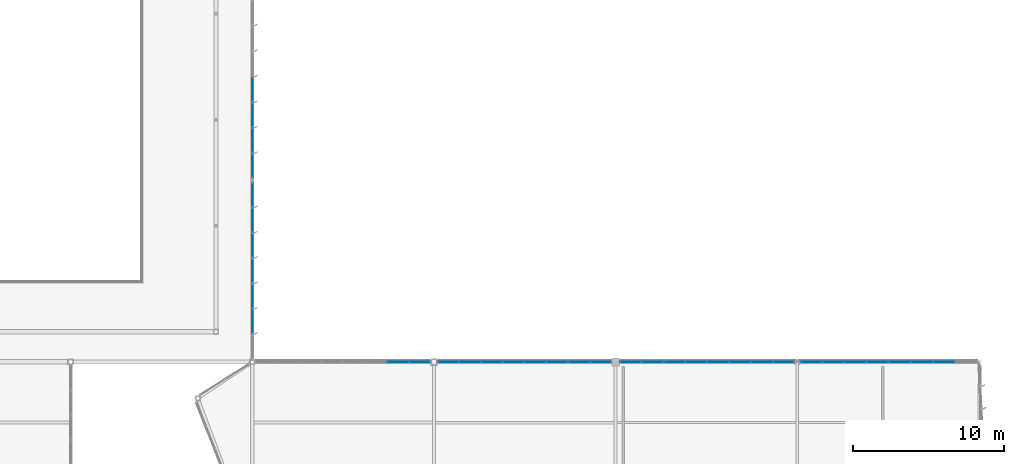
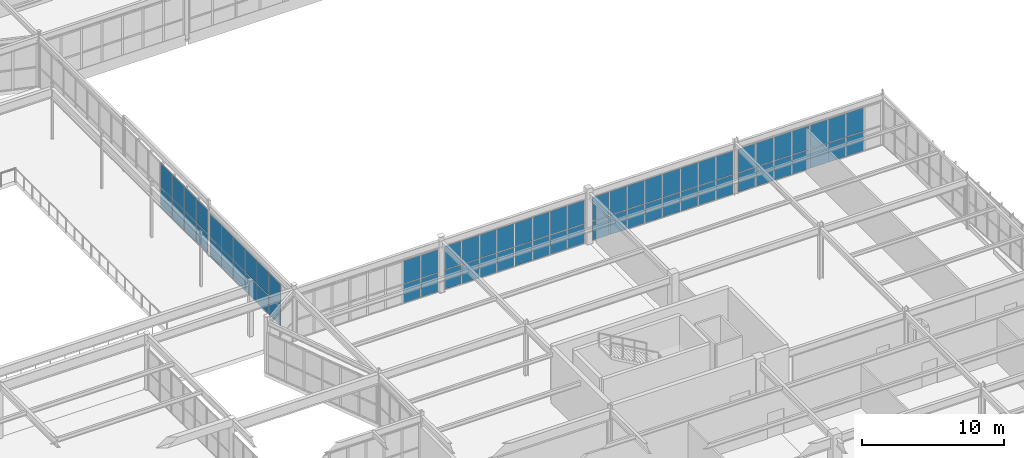
# One storey, part 122 of 186: 70 plates, 6 elements without a shape of their own.
"""IFC4 building model written with IfcOpenShell, lengths in metres."""

from ifc_helpers import new_model, si_unit, direction, frame, origin, origin_2d, place, context, subcontext, project, spatial, rectangle, extrude, material, layer, layer_set, type_object, element, aggregate, save


model = new_model("IFC4")

# Units and contexts
model_context = context("Model", 3, precision=1e-05, world=origin(), true_north=direction((0.0, 1.0)))
body_context = subcontext(model_context, "Body", "Model", "MODEL_VIEW")
ifc_project = project(units=[si_unit("LENGTHUNIT", "METRE"), si_unit("AREAUNIT", "SQUARE_METRE"), si_unit("VOLUMEUNIT", "CUBIC_METRE"), si_unit("PLANEANGLEUNIT", "RADIAN"), si_unit("MASSUNIT", "GRAM", prefix="KILO")], contexts=[model_context])

# Site, building, storey
site_placement = place(None, origin())
site = spatial("IfcSite", under=ifc_project, at=site_placement, CompositionType="ELEMENT")
building_placement = place(site_placement, origin())
building = spatial("IfcBuilding", under=site, at=building_placement, Name="Tarnwether General Hospital", CompositionType="ELEMENT")
storey_placement = place(building_placement, frame((0.0, 0.0, 9.60009765625)))
storey = spatial("IfcBuildingStorey", under=building, at=storey_placement, Name="L02", CompositionType="ELEMENT", Elevation=9.60009765625)

# Curtain wall, plates
ifc_material_1 = material(Name="Anodised aluminium", Category="aluminium")
ifc_layer_1 = layer(ifc_material_1, 0.179931640625)
ifc_layer_set_1 = layer_set([ifc_layer_1], Name="Anodised aluminium")
curtain_wall_type_1 = type_object("IfcCurtainWallType", Name="CW-06", PredefinedType="NOTDEFINED", material=ifc_layer_set_1)
curtain_wall_1_placement = place(storey_placement, origin())
curtain_wall_1 = element("IfcCurtainWall", 1, at=curtain_wall_1_placement, inside=storey, type_object=curtain_wall_type_1, Name="Curtain Wall CWG-L02-1440_695-0417", PredefinedType="NOTDEFINED")
ifc_material_2 = material(Name="Double glazed low-E glass", Category="glass")
ifc_layer_2 = layer(ifc_material_2, 0.028076171875)
ifc_layer_set_2 = layer_set([ifc_layer_2], Name="Double glazed low-E glass")
plate_type = type_object("IfcPlateType", Name="PT-CWP1", PredefinedType="CURTAIN_PANEL", material=ifc_layer_set_2)
plate_1_placement = place(storey_placement, frame((144.0, 63.610595703125, 0.06005859375), z_axis=(0.0, 0.0, 1.0), x_axis=(0.0, -1.0, 0.0)))
plate_1 = element("IfcPlate", 2, at=plate_1_placement, type_object=plate_type, Name="CW-06 panel 4.1", PredefinedType="CURTAIN_PANEL", context=body_context, shape_type="SweptSolid", body=[
    extrude(rectangle(XDim=1.6259765625, YDim=0.028076171875, at=origin_2d()), origin(), (0.0, 0.0, 1.0), 1.663818359375),
])
plate_2_placement = place(storey_placement, frame((144.0, 63.610595703125, 1.78369140625), z_axis=(0.0, 0.0, 1.0), x_axis=(0.0, -1.0, 0.0)))
plate_2 = element("IfcPlate", 3, at=plate_2_placement, type_object=plate_type, Name="CW-06 panel 4.2", PredefinedType="CURTAIN_PANEL", context=body_context, shape_type="SweptSolid", body=[
    extrude(rectangle(XDim=1.6259765625, YDim=0.028076171875, at=origin_2d()), origin(), (0.0, 0.0, 1.0), 2.05322265625),
])
plate_3_placement = place(storey_placement, frame((144.0, 61.924560546875, 0.06005859375), z_axis=(0.0, 0.0, 1.0), x_axis=(0.0, -1.0, 0.0)))
plate_3 = element("IfcPlate", 4, at=plate_3_placement, type_object=plate_type, Name="CW-06 panel 5.1", PredefinedType="CURTAIN_PANEL", context=body_context, shape_type="SweptSolid", body=[
    extrude(rectangle(XDim=1.6259765625, YDim=0.028076171875, at=origin_2d()), origin(), (0.0, 0.0, 1.0), 1.663818359375),
])
plate_4_placement = place(storey_placement, frame((144.0, 61.924560546875, 1.78369140625), z_axis=(0.0, 0.0, 1.0), x_axis=(0.0, -1.0, 0.0)))
plate_4 = element("IfcPlate", 5, at=plate_4_placement, type_object=plate_type, Name="CW-06 panel 5.2", PredefinedType="CURTAIN_PANEL", context=body_context, shape_type="SweptSolid", body=[
    extrude(rectangle(XDim=1.6259765625, YDim=0.028076171875, at=origin_2d()), origin(), (0.0, 0.0, 1.0), 2.05322265625),
])
plate_5_placement = place(storey_placement, frame((144.0, 60.23876953125, 0.06005859375), z_axis=(0.0, 0.0, 1.0), x_axis=(0.0, -1.0, 0.0)))
plate_5 = element("IfcPlate", 6, at=plate_5_placement, type_object=plate_type, Name="CW-06 panel 6.1", PredefinedType="CURTAIN_PANEL", context=body_context, shape_type="SweptSolid", body=[
    extrude(rectangle(XDim=1.6259765625, YDim=0.028076171875, at=origin_2d()), origin(), (0.0, 0.0, 1.0), 1.663818359375),
])
plate_6_placement = place(storey_placement, frame((144.0, 60.23876953125, 1.78369140625), z_axis=(0.0, 0.0, 1.0), x_axis=(0.0, -1.0, 0.0)))
plate_6 = element("IfcPlate", 7, at=plate_6_placement, type_object=plate_type, Name="CW-06 panel 6.2", PredefinedType="CURTAIN_PANEL", context=body_context, shape_type="SweptSolid", body=[
    extrude(rectangle(XDim=1.6259765625, YDim=0.028076171875, at=origin_2d()), origin(), (0.0, 0.0, 1.0), 2.05322265625),
])
plate_7_placement = place(storey_placement, frame((144.0, 58.56787109375, 0.06005859375), z_axis=(0.0, 0.0, 1.0), x_axis=(0.0, -1.0, 0.0)))
plate_7 = element("IfcPlate", 8, at=plate_7_placement, type_object=plate_type, Name="CW-06 panel 7.1", PredefinedType="CURTAIN_PANEL", context=body_context, shape_type="SweptSolid", body=[
    extrude(rectangle(XDim=1.595947265625, YDim=0.028076171875, at=origin_2d()), origin(), (0.0, 0.0, 1.0), 1.663818359375),
])
plate_8_placement = place(storey_placement, frame((144.0, 58.56787109375, 1.78369140625), z_axis=(0.0, 0.0, 1.0), x_axis=(0.0, -1.0, 0.0)))
plate_8 = element("IfcPlate", 9, at=plate_8_placement, type_object=plate_type, Name="CW-06 panel 7.2", PredefinedType="CURTAIN_PANEL", context=body_context, shape_type="SweptSolid", body=[
    extrude(rectangle(XDim=1.595947265625, YDim=0.028076171875, at=origin_2d()), origin(), (0.0, 0.0, 1.0), 2.05322265625),
])
aggregate(curtain_wall_1, [plate_1, plate_2, plate_3, plate_4, plate_5, plate_6, plate_7, plate_8])

curtain_wall_2_placement = place(storey_placement, origin())
curtain_wall_2 = element("IfcCurtainWall", 10, at=curtain_wall_2_placement, inside=storey, type_object=curtain_wall_type_1, Name="Curtain Wall CWG-L02-1440_575-0418", PredefinedType="NOTDEFINED")
plate_9_placement = place(storey_placement, frame((144.0, 56.637939453125, 0.06005859375), z_axis=(0.0, 0.0, 1.0), x_axis=(0.0, -1.0, 0.0)))
plate_9 = element("IfcPlate", 11, at=plate_9_placement, type_object=plate_type, Name="CW-06 panel 1.1", PredefinedType="CURTAIN_PANEL", context=body_context, shape_type="SweptSolid", body=[
    extrude(rectangle(XDim=1.584228515625, YDim=0.028076171875, at=origin_2d()), origin(), (0.0, 0.0, 1.0), 1.592041015625),
])
plate_10_placement = place(storey_placement, frame((144.0, 56.637939453125, 1.712158203125), z_axis=(0.0, 0.0, 1.0), x_axis=(0.0, -1.0, 0.0)))
plate_10 = element("IfcPlate", 12, at=plate_10_placement, type_object=plate_type, Name="CW-06 panel 1.2", PredefinedType="CURTAIN_PANEL", context=body_context, shape_type="SweptSolid", body=[
    extrude(rectangle(XDim=1.584228515625, YDim=0.028076171875, at=origin_2d()), origin(), (0.0, 0.0, 1.0), 1.9658203125),
])
plate_11_placement = place(storey_placement, frame((144.0, 54.978515625, 0.06005859375), z_axis=(0.0, 0.0, 1.0), x_axis=(0.0, -1.0, 0.0)))
plate_11 = element("IfcPlate", 13, at=plate_11_placement, type_object=plate_type, Name="CW-06 panel 2.1", PredefinedType="CURTAIN_PANEL", context=body_context, shape_type="SweptSolid", body=[
    extrude(rectangle(XDim=1.6142578125, YDim=0.028076171875, at=origin_2d()), origin(), (0.0, 0.0, 1.0), 1.592041015625),
])
plate_12_placement = place(storey_placement, frame((144.0, 54.978515625, 1.712158203125), z_axis=(0.0, 0.0, 1.0), x_axis=(0.0, -1.0, 0.0)))
plate_12 = element("IfcPlate", 14, at=plate_12_placement, type_object=plate_type, Name="CW-06 panel 2.2", PredefinedType="CURTAIN_PANEL", context=body_context, shape_type="SweptSolid", body=[
    extrude(rectangle(XDim=1.6142578125, YDim=0.028076171875, at=origin_2d()), origin(), (0.0, 0.0, 1.0), 1.9658203125),
])
plate_13_placement = place(storey_placement, frame((144.0, 53.30419921875, 0.06005859375), z_axis=(0.0, 0.0, 1.0), x_axis=(0.0, -1.0, 0.0)))
plate_13 = element("IfcPlate", 15, at=plate_13_placement, type_object=plate_type, Name="CW-06 panel 3.1", PredefinedType="CURTAIN_PANEL", context=body_context, shape_type="SweptSolid", body=[
    extrude(rectangle(XDim=1.6142578125, YDim=0.028076171875, at=origin_2d()), origin(), (0.0, 0.0, 1.0), 1.592041015625),
])
plate_14_placement = place(storey_placement, frame((144.0, 53.30419921875, 1.712158203125), z_axis=(0.0, 0.0, 1.0), x_axis=(0.0, -1.0, 0.0)))
plate_14 = element("IfcPlate", 16, at=plate_14_placement, type_object=plate_type, Name="CW-06 panel 3.2", PredefinedType="CURTAIN_PANEL", context=body_context, shape_type="SweptSolid", body=[
    extrude(rectangle(XDim=1.6142578125, YDim=0.028076171875, at=origin_2d()), origin(), (0.0, 0.0, 1.0), 1.9658203125),
])
plate_15_placement = place(storey_placement, frame((144.0, 51.6298828125, 0.06005859375), z_axis=(0.0, 0.0, 1.0), x_axis=(0.0, -1.0, 0.0)))
plate_15 = element("IfcPlate", 17, at=plate_15_placement, type_object=plate_type, Name="CW-06 panel 4.1", PredefinedType="CURTAIN_PANEL", context=body_context, shape_type="SweptSolid", body=[
    extrude(rectangle(XDim=1.6142578125, YDim=0.028076171875, at=origin_2d()), origin(), (0.0, 0.0, 1.0), 1.592041015625),
])
plate_16_placement = place(storey_placement, frame((144.0, 51.6298828125, 1.712158203125), z_axis=(0.0, 0.0, 1.0), x_axis=(0.0, -1.0, 0.0)))
plate_16 = element("IfcPlate", 18, at=plate_16_placement, type_object=plate_type, Name="CW-06 panel 4.2", PredefinedType="CURTAIN_PANEL", context=body_context, shape_type="SweptSolid", body=[
    extrude(rectangle(XDim=1.6142578125, YDim=0.028076171875, at=origin_2d()), origin(), (0.0, 0.0, 1.0), 1.9658203125),
])
plate_17_placement = place(storey_placement, frame((144.0, 49.955810546875, 0.06005859375), z_axis=(0.0, 0.0, 1.0), x_axis=(0.0, -1.0, 0.0)))
plate_17 = element("IfcPlate", 19, at=plate_17_placement, type_object=plate_type, Name="CW-06 panel 5.1", PredefinedType="CURTAIN_PANEL", context=body_context, shape_type="SweptSolid", body=[
    extrude(rectangle(XDim=1.6142578125, YDim=0.028076171875, at=origin_2d()), origin(), (0.0, 0.0, 1.0), 1.592041015625),
])
plate_18_placement = place(storey_placement, frame((144.0, 49.955810546875, 1.712158203125), z_axis=(0.0, 0.0, 1.0), x_axis=(0.0, -1.0, 0.0)))
plate_18 = element("IfcPlate", 20, at=plate_18_placement, type_object=plate_type, Name="CW-06 panel 5.2", PredefinedType="CURTAIN_PANEL", context=body_context, shape_type="SweptSolid", body=[
    extrude(rectangle(XDim=1.6142578125, YDim=0.028076171875, at=origin_2d()), origin(), (0.0, 0.0, 1.0), 1.9658203125),
])
plate_19_placement = place(storey_placement, frame((144.0, 48.281494140625, 0.06005859375), z_axis=(0.0, 0.0, 1.0), x_axis=(0.0, -1.0, 0.0)))
plate_19 = element("IfcPlate", 21, at=plate_19_placement, type_object=plate_type, Name="CW-06 panel 6.1", PredefinedType="CURTAIN_PANEL", context=body_context, shape_type="SweptSolid", body=[
    extrude(rectangle(XDim=1.6142578125, YDim=0.028076171875, at=origin_2d()), origin(), (0.0, 0.0, 1.0), 1.592041015625),
])
plate_20_placement = place(storey_placement, frame((144.0, 48.281494140625, 1.712158203125), z_axis=(0.0, 0.0, 1.0), x_axis=(0.0, -1.0, 0.0)))
plate_20 = element("IfcPlate", 22, at=plate_20_placement, type_object=plate_type, Name="CW-06 panel 6.2", PredefinedType="CURTAIN_PANEL", context=body_context, shape_type="SweptSolid", body=[
    extrude(rectangle(XDim=1.6142578125, YDim=0.028076171875, at=origin_2d()), origin(), (0.0, 0.0, 1.0), 1.9658203125),
])
aggregate(curtain_wall_2, [plate_9, plate_10, plate_11, plate_12, plate_13, plate_14, plate_15, plate_16, plate_17, plate_18, plate_19, plate_20])

ifc_material_3 = material(Name="Anodised aluminium", Category="aluminium")
ifc_layer_3 = layer(ifc_material_3, 0.159912109375)
ifc_layer_set_3 = layer_set([ifc_layer_3], Name="Anodised aluminium")
curtain_wall_type_2 = type_object("IfcCurtainWallType", Name="CW-18", PredefinedType="NOTDEFINED", material=ifc_layer_set_3)
curtain_wall_3_placement = place(storey_placement, origin())
curtain_wall_3 = element("IfcCurtainWall", 23, at=curtain_wall_3_placement, inside=storey, type_object=curtain_wall_type_2, Name="Curtain Wall CWG-L02-1442_456-0452", PredefinedType="NOTDEFINED")
plate_21_placement = place(storey_placement, frame((153.6103515625, 45.60009765625, 0.06005859375), z_axis=(0.0, 0.0, 1.0), x_axis=(1.0, 0.0, 0.0)))
plate_21 = element("IfcPlate", 24, at=plate_21_placement, type_object=plate_type, Name="CW-18 panel 7.1", PredefinedType="CURTAIN_PANEL", context=body_context, shape_type="SweptSolid", body=[
    extrude(rectangle(XDim=1.392333984375, YDim=0.028076171875, at=origin_2d()), origin(), (0.0, 0.0, 1.0), 1.592041015625),
])
plate_22_placement = place(storey_placement, frame((153.6103515625, 45.60009765625, 1.712158203125), z_axis=(0.0, 0.0, 1.0), x_axis=(1.0, 0.0, 0.0)))
plate_22 = element("IfcPlate", 25, at=plate_22_placement, type_object=plate_type, Name="CW-18 panel 7.2", PredefinedType="CURTAIN_PANEL", context=body_context, shape_type="SweptSolid", body=[
    extrude(rectangle(XDim=1.392333984375, YDim=0.028076171875, at=origin_2d()), origin(), (0.0, 0.0, 1.0), 1.9658203125),
])
plate_23_placement = place(storey_placement, frame((155.0478515625, 45.60009765625, 0.06005859375), z_axis=(0.0, 0.0, 1.0), x_axis=(1.0, 0.0, 0.0)))
plate_23 = element("IfcPlate", 26, at=plate_23_placement, type_object=plate_type, Name="CW-18 panel 8.1", PredefinedType="CURTAIN_PANEL", context=body_context, shape_type="SweptSolid", body=[
    extrude(rectangle(XDim=1.3623046875, YDim=0.028076171875, at=origin_2d()), origin(), (0.0, 0.0, 1.0), 1.592041015625),
])
plate_24_placement = place(storey_placement, frame((155.0478515625, 45.60009765625, 1.712158203125), z_axis=(0.0, 0.0, 1.0), x_axis=(1.0, 0.0, 0.0)))
plate_24 = element("IfcPlate", 27, at=plate_24_placement, type_object=plate_type, Name="CW-18 panel 8.2", PredefinedType="CURTAIN_PANEL", context=body_context, shape_type="SweptSolid", body=[
    extrude(rectangle(XDim=1.3623046875, YDim=0.028076171875, at=origin_2d()), origin(), (0.0, 0.0, 1.0), 1.9658203125),
])
aggregate(curtain_wall_3, [plate_21, plate_22, plate_23, plate_24])

curtain_wall_4_placement = place(storey_placement, origin())
curtain_wall_4 = element("IfcCurtainWall", 28, at=curtain_wall_4_placement, inside=storey, type_object=curtain_wall_type_2, Name="Curtain Wall CWG-L02-1562_456-0453", PredefinedType="NOTDEFINED")
plate_25_placement = place(storey_placement, frame((156.94677734375, 45.60009765625, 0.06005859375), z_axis=(0.0, 0.0, 1.0), x_axis=(1.0, 0.0, 0.0)))
plate_25 = element("IfcPlate", 29, at=plate_25_placement, type_object=plate_type, Name="CW-18 panel 1.1", PredefinedType="CURTAIN_PANEL", context=body_context, shape_type="SweptSolid", body=[
    extrude(rectangle(XDim=1.351318359375, YDim=0.028076171875, at=origin_2d()), origin(), (0.0, 0.0, 1.0), 1.628173828125),
])
plate_26_placement = place(storey_placement, frame((156.94677734375, 45.60009765625, 1.748046875), z_axis=(0.0, 0.0, 1.0), x_axis=(1.0, 0.0, 0.0)))
plate_26 = element("IfcPlate", 30, at=plate_26_placement, type_object=plate_type, Name="CW-18 panel 1.2", PredefinedType="CURTAIN_PANEL", context=body_context, shape_type="SweptSolid", body=[
    extrude(rectangle(XDim=1.351318359375, YDim=0.028076171875, at=origin_2d()), origin(), (0.0, 0.0, 1.0), 2.010009765625),
])
plate_27_placement = place(storey_placement, frame((158.373046875, 45.60009765625, 0.06005859375), z_axis=(0.0, 0.0, 1.0), x_axis=(1.0, 0.0, 0.0)))
plate_27 = element("IfcPlate", 31, at=plate_27_placement, type_object=plate_type, Name="CW-18 panel 2.1", PredefinedType="CURTAIN_PANEL", context=body_context, shape_type="SweptSolid", body=[
    extrude(rectangle(XDim=1.38134765625, YDim=0.028076171875, at=origin_2d()), origin(), (0.0, 0.0, 1.0), 1.628173828125),
])
plate_28_placement = place(storey_placement, frame((158.373046875, 45.60009765625, 1.748046875), z_axis=(0.0, 0.0, 1.0), x_axis=(1.0, 0.0, 0.0)))
plate_28 = element("IfcPlate", 32, at=plate_28_placement, type_object=plate_type, Name="CW-18 panel 2.2", PredefinedType="CURTAIN_PANEL", context=body_context, shape_type="SweptSolid", body=[
    extrude(rectangle(XDim=1.38134765625, YDim=0.028076171875, at=origin_2d()), origin(), (0.0, 0.0, 1.0), 2.010009765625),
])
plate_29_placement = place(storey_placement, frame((159.814453125, 45.60009765625, 0.06005859375), z_axis=(0.0, 0.0, 1.0), x_axis=(1.0, 0.0, 0.0)))
plate_29 = element("IfcPlate", 33, at=plate_29_placement, type_object=plate_type, Name="CW-18 panel 3.1", PredefinedType="CURTAIN_PANEL", context=body_context, shape_type="SweptSolid", body=[
    extrude(rectangle(XDim=1.38134765625, YDim=0.028076171875, at=origin_2d()), origin(), (0.0, 0.0, 1.0), 1.628173828125),
])
plate_30_placement = place(storey_placement, frame((159.814453125, 45.60009765625, 1.748046875), z_axis=(0.0, 0.0, 1.0), x_axis=(1.0, 0.0, 0.0)))
plate_30 = element("IfcPlate", 34, at=plate_30_placement, type_object=plate_type, Name="CW-18 panel 3.2", PredefinedType="CURTAIN_PANEL", context=body_context, shape_type="SweptSolid", body=[
    extrude(rectangle(XDim=1.38134765625, YDim=0.028076171875, at=origin_2d()), origin(), (0.0, 0.0, 1.0), 2.010009765625),
])
plate_31_placement = place(storey_placement, frame((161.255859375, 45.60009765625, 0.06005859375), z_axis=(0.0, 0.0, 1.0), x_axis=(1.0, 0.0, 0.0)))
plate_31 = element("IfcPlate", 35, at=plate_31_placement, type_object=plate_type, Name="CW-18 panel 4.1", PredefinedType="CURTAIN_PANEL", context=body_context, shape_type="SweptSolid", body=[
    extrude(rectangle(XDim=1.38134765625, YDim=0.028076171875, at=origin_2d()), origin(), (0.0, 0.0, 1.0), 1.628173828125),
])
plate_32_placement = place(storey_placement, frame((161.255859375, 45.60009765625, 1.748046875), z_axis=(0.0, 0.0, 1.0), x_axis=(1.0, 0.0, 0.0)))
plate_32 = element("IfcPlate", 36, at=plate_32_placement, type_object=plate_type, Name="CW-18 panel 4.2", PredefinedType="CURTAIN_PANEL", context=body_context, shape_type="SweptSolid", body=[
    extrude(rectangle(XDim=1.38134765625, YDim=0.028076171875, at=origin_2d()), origin(), (0.0, 0.0, 1.0), 2.010009765625),
])
plate_33_placement = place(storey_placement, frame((162.697265625, 45.60009765625, 0.06005859375), z_axis=(0.0, 0.0, 1.0), x_axis=(1.0, 0.0, 0.0)))
plate_33 = element("IfcPlate", 37, at=plate_33_placement, type_object=plate_type, Name="CW-18 panel 5.1", PredefinedType="CURTAIN_PANEL", context=body_context, shape_type="SweptSolid", body=[
    extrude(rectangle(XDim=1.38134765625, YDim=0.028076171875, at=origin_2d()), origin(), (0.0, 0.0, 1.0), 1.628173828125),
])
plate_34_placement = place(storey_placement, frame((162.697265625, 45.60009765625, 1.748046875), z_axis=(0.0, 0.0, 1.0), x_axis=(1.0, 0.0, 0.0)))
plate_34 = element("IfcPlate", 38, at=plate_34_placement, type_object=plate_type, Name="CW-18 panel 5.2", PredefinedType="CURTAIN_PANEL", context=body_context, shape_type="SweptSolid", body=[
    extrude(rectangle(XDim=1.38134765625, YDim=0.028076171875, at=origin_2d()), origin(), (0.0, 0.0, 1.0), 2.010009765625),
])
plate_35_placement = place(storey_placement, frame((164.138671875, 45.60009765625, 0.06005859375), z_axis=(0.0, 0.0, 1.0), x_axis=(1.0, 0.0, 0.0)))
plate_35 = element("IfcPlate", 39, at=plate_35_placement, type_object=plate_type, Name="CW-18 panel 6.1", PredefinedType="CURTAIN_PANEL", context=body_context, shape_type="SweptSolid", body=[
    extrude(rectangle(XDim=1.38134765625, YDim=0.028076171875, at=origin_2d()), origin(), (0.0, 0.0, 1.0), 1.628173828125),
])
plate_36_placement = place(storey_placement, frame((164.138671875, 45.60009765625, 1.748046875), z_axis=(0.0, 0.0, 1.0), x_axis=(1.0, 0.0, 0.0)))
plate_36 = element("IfcPlate", 40, at=plate_36_placement, type_object=plate_type, Name="CW-18 panel 6.2", PredefinedType="CURTAIN_PANEL", context=body_context, shape_type="SweptSolid", body=[
    extrude(rectangle(XDim=1.38134765625, YDim=0.028076171875, at=origin_2d()), origin(), (0.0, 0.0, 1.0), 2.010009765625),
])
plate_37_placement = place(storey_placement, frame((165.579833984375, 45.60009765625, 0.06005859375), z_axis=(0.0, 0.0, 1.0), x_axis=(1.0, 0.0, 0.0)))
plate_37 = element("IfcPlate", 41, at=plate_37_placement, type_object=plate_type, Name="CW-18 panel 7.1", PredefinedType="CURTAIN_PANEL", context=body_context, shape_type="SweptSolid", body=[
    extrude(rectangle(XDim=1.38134765625, YDim=0.028076171875, at=origin_2d()), origin(), (0.0, 0.0, 1.0), 1.628173828125),
])
plate_38_placement = place(storey_placement, frame((165.579833984375, 45.60009765625, 1.748046875), z_axis=(0.0, 0.0, 1.0), x_axis=(1.0, 0.0, 0.0)))
plate_38 = element("IfcPlate", 42, at=plate_38_placement, type_object=plate_type, Name="CW-18 panel 7.2", PredefinedType="CURTAIN_PANEL", context=body_context, shape_type="SweptSolid", body=[
    extrude(rectangle(XDim=1.38134765625, YDim=0.028076171875, at=origin_2d()), origin(), (0.0, 0.0, 1.0), 2.010009765625),
])
plate_39_placement = place(storey_placement, frame((167.00634765625, 45.60009765625, 0.06005859375), z_axis=(0.0, 0.0, 1.0), x_axis=(1.0, 0.0, 0.0)))
plate_39 = element("IfcPlate", 43, at=plate_39_placement, type_object=plate_type, Name="CW-18 panel 8.1", PredefinedType="CURTAIN_PANEL", context=body_context, shape_type="SweptSolid", body=[
    extrude(rectangle(XDim=1.351318359375, YDim=0.028076171875, at=origin_2d()), origin(), (0.0, 0.0, 1.0), 1.628173828125),
])
plate_40_placement = place(storey_placement, frame((167.00634765625, 45.60009765625, 1.748046875), z_axis=(0.0, 0.0, 1.0), x_axis=(1.0, 0.0, 0.0)))
plate_40 = element("IfcPlate", 44, at=plate_40_placement, type_object=plate_type, Name="CW-18 panel 8.2", PredefinedType="CURTAIN_PANEL", context=body_context, shape_type="SweptSolid", body=[
    extrude(rectangle(XDim=1.351318359375, YDim=0.028076171875, at=origin_2d()), origin(), (0.0, 0.0, 1.0), 2.010009765625),
])
aggregate(curtain_wall_4, [plate_25, plate_26, plate_27, plate_28, plate_29, plate_30, plate_31, plate_32, plate_33, plate_34, plate_35, plate_36, plate_37, plate_38, plate_39, plate_40])

curtain_wall_5_placement = place(storey_placement, origin())
curtain_wall_5 = element("IfcCurtainWall", 45, at=curtain_wall_5_placement, inside=storey, type_object=curtain_wall_type_2, Name="Curtain Wall CWG-L02-1683_456-0454", PredefinedType="NOTDEFINED")
plate_41_placement = place(storey_placement, frame((168.99658203125, 45.60009765625, 0.059814453125), z_axis=(0.0, 0.0, 1.0), x_axis=(1.0, 0.0, 0.0)))
plate_41 = element("IfcPlate", 46, at=plate_41_placement, type_object=plate_type, Name="CW-18 panel 1.1", PredefinedType="CURTAIN_PANEL", context=body_context, shape_type="SweptSolid", body=[
    extrude(rectangle(XDim=1.35693359375, YDim=0.028076171875, at=origin_2d()), origin(), (0.0, 0.0, 1.0), 1.63037109375),
])
plate_42_placement = place(storey_placement, frame((168.99658203125, 45.60009765625, 1.750244140625), z_axis=(0.0, 0.0, 1.0), x_axis=(1.0, 0.0, 0.0)))
plate_42 = element("IfcPlate", 47, at=plate_42_placement, type_object=plate_type, Name="CW-18 panel 1.2", PredefinedType="CURTAIN_PANEL", context=body_context, shape_type="SweptSolid", body=[
    extrude(rectangle(XDim=1.35693359375, YDim=0.028076171875, at=origin_2d()), origin(), (0.0, 0.0, 1.0), 2.0126953125),
])
plate_43_placement = place(storey_placement, frame((170.428466796875, 45.60009765625, 0.059814453125), z_axis=(0.0, 0.0, 1.0), x_axis=(1.0, 0.0, 0.0)))
plate_43 = element("IfcPlate", 48, at=plate_43_placement, type_object=plate_type, Name="CW-18 panel 2.1", PredefinedType="CURTAIN_PANEL", context=body_context, shape_type="SweptSolid", body=[
    extrude(rectangle(XDim=1.386962890625, YDim=0.028076171875, at=origin_2d()), origin(), (0.0, 0.0, 1.0), 1.63037109375),
])
plate_44_placement = place(storey_placement, frame((170.428466796875, 45.60009765625, 1.750244140625), z_axis=(0.0, 0.0, 1.0), x_axis=(1.0, 0.0, 0.0)))
plate_44 = element("IfcPlate", 49, at=plate_44_placement, type_object=plate_type, Name="CW-18 panel 2.2", PredefinedType="CURTAIN_PANEL", context=body_context, shape_type="SweptSolid", body=[
    extrude(rectangle(XDim=1.386962890625, YDim=0.028076171875, at=origin_2d()), origin(), (0.0, 0.0, 1.0), 2.0126953125),
])
plate_45_placement = place(storey_placement, frame((171.87548828125, 45.60009765625, 0.059814453125), z_axis=(0.0, 0.0, 1.0), x_axis=(1.0, 0.0, 0.0)))
plate_45 = element("IfcPlate", 50, at=plate_45_placement, type_object=plate_type, Name="CW-18 panel 3.1", PredefinedType="CURTAIN_PANEL", context=body_context, shape_type="SweptSolid", body=[
    extrude(rectangle(XDim=1.386962890625, YDim=0.028076171875, at=origin_2d()), origin(), (0.0, 0.0, 1.0), 1.63037109375),
])
plate_46_placement = place(storey_placement, frame((171.87548828125, 45.60009765625, 1.750244140625), z_axis=(0.0, 0.0, 1.0), x_axis=(1.0, 0.0, 0.0)))
plate_46 = element("IfcPlate", 51, at=plate_46_placement, type_object=plate_type, Name="CW-18 panel 3.2", PredefinedType="CURTAIN_PANEL", context=body_context, shape_type="SweptSolid", body=[
    extrude(rectangle(XDim=1.386962890625, YDim=0.028076171875, at=origin_2d()), origin(), (0.0, 0.0, 1.0), 2.0126953125),
])
plate_47_placement = place(storey_placement, frame((173.322509765625, 45.60009765625, 0.059814453125), z_axis=(0.0, 0.0, 1.0), x_axis=(1.0, 0.0, 0.0)))
plate_47 = element("IfcPlate", 52, at=plate_47_placement, type_object=plate_type, Name="CW-18 panel 4.1", PredefinedType="CURTAIN_PANEL", context=body_context, shape_type="SweptSolid", body=[
    extrude(rectangle(XDim=1.386962890625, YDim=0.028076171875, at=origin_2d()), origin(), (0.0, 0.0, 1.0), 1.63037109375),
])
plate_48_placement = place(storey_placement, frame((173.322509765625, 45.60009765625, 1.750244140625), z_axis=(0.0, 0.0, 1.0), x_axis=(1.0, 0.0, 0.0)))
plate_48 = element("IfcPlate", 53, at=plate_48_placement, type_object=plate_type, Name="CW-18 panel 4.2", PredefinedType="CURTAIN_PANEL", context=body_context, shape_type="SweptSolid", body=[
    extrude(rectangle(XDim=1.386962890625, YDim=0.028076171875, at=origin_2d()), origin(), (0.0, 0.0, 1.0), 2.0126953125),
])
plate_49_placement = place(storey_placement, frame((174.76953125, 45.60009765625, 0.059814453125), z_axis=(0.0, 0.0, 1.0), x_axis=(1.0, 0.0, 0.0)))
plate_49 = element("IfcPlate", 54, at=plate_49_placement, type_object=plate_type, Name="CW-18 panel 5.1", PredefinedType="CURTAIN_PANEL", context=body_context, shape_type="SweptSolid", body=[
    extrude(rectangle(XDim=1.386962890625, YDim=0.028076171875, at=origin_2d()), origin(), (0.0, 0.0, 1.0), 1.63037109375),
])
plate_50_placement = place(storey_placement, frame((174.76953125, 45.60009765625, 1.750244140625), z_axis=(0.0, 0.0, 1.0), x_axis=(1.0, 0.0, 0.0)))
plate_50 = element("IfcPlate", 55, at=plate_50_placement, type_object=plate_type, Name="CW-18 panel 5.2", PredefinedType="CURTAIN_PANEL", context=body_context, shape_type="SweptSolid", body=[
    extrude(rectangle(XDim=1.386962890625, YDim=0.028076171875, at=origin_2d()), origin(), (0.0, 0.0, 1.0), 2.0126953125),
])
plate_51_placement = place(storey_placement, frame((176.216552734375, 45.60009765625, 0.059814453125), z_axis=(0.0, 0.0, 1.0), x_axis=(1.0, 0.0, 0.0)))
plate_51 = element("IfcPlate", 56, at=plate_51_placement, type_object=plate_type, Name="CW-18 panel 6.1", PredefinedType="CURTAIN_PANEL", context=body_context, shape_type="SweptSolid", body=[
    extrude(rectangle(XDim=1.386962890625, YDim=0.028076171875, at=origin_2d()), origin(), (0.0, 0.0, 1.0), 1.63037109375),
])
plate_52_placement = place(storey_placement, frame((176.216552734375, 45.60009765625, 1.750244140625), z_axis=(0.0, 0.0, 1.0), x_axis=(1.0, 0.0, 0.0)))
plate_52 = element("IfcPlate", 57, at=plate_52_placement, type_object=plate_type, Name="CW-18 panel 6.2", PredefinedType="CURTAIN_PANEL", context=body_context, shape_type="SweptSolid", body=[
    extrude(rectangle(XDim=1.386962890625, YDim=0.028076171875, at=origin_2d()), origin(), (0.0, 0.0, 1.0), 2.0126953125),
])
plate_53_placement = place(storey_placement, frame((177.66357421875, 45.60009765625, 0.059814453125), z_axis=(0.0, 0.0, 1.0), x_axis=(1.0, 0.0, 0.0)))
plate_53 = element("IfcPlate", 58, at=plate_53_placement, type_object=plate_type, Name="CW-18 panel 7.1", PredefinedType="CURTAIN_PANEL", context=body_context, shape_type="SweptSolid", body=[
    extrude(rectangle(XDim=1.386962890625, YDim=0.028076171875, at=origin_2d()), origin(), (0.0, 0.0, 1.0), 1.63037109375),
])
plate_54_placement = place(storey_placement, frame((177.66357421875, 45.60009765625, 1.750244140625), z_axis=(0.0, 0.0, 1.0), x_axis=(1.0, 0.0, 0.0)))
plate_54 = element("IfcPlate", 59, at=plate_54_placement, type_object=plate_type, Name="CW-18 panel 7.2", PredefinedType="CURTAIN_PANEL", context=body_context, shape_type="SweptSolid", body=[
    extrude(rectangle(XDim=1.386962890625, YDim=0.028076171875, at=origin_2d()), origin(), (0.0, 0.0, 1.0), 2.0126953125),
])
plate_55_placement = place(storey_placement, frame((179.095458984375, 45.60009765625, 0.059814453125), z_axis=(0.0, 0.0, 1.0), x_axis=(1.0, 0.0, 0.0)))
plate_55 = element("IfcPlate", 60, at=plate_55_placement, type_object=plate_type, Name="CW-18 panel 8.1", PredefinedType="CURTAIN_PANEL", context=body_context, shape_type="SweptSolid", body=[
    extrude(rectangle(XDim=1.35693359375, YDim=0.028076171875, at=origin_2d()), origin(), (0.0, 0.0, 1.0), 1.63037109375),
])
plate_56_placement = place(storey_placement, frame((179.095458984375, 45.60009765625, 1.750244140625), z_axis=(0.0, 0.0, 1.0), x_axis=(1.0, 0.0, 0.0)))
plate_56 = element("IfcPlate", 61, at=plate_56_placement, type_object=plate_type, Name="CW-18 panel 8.2", PredefinedType="CURTAIN_PANEL", context=body_context, shape_type="SweptSolid", body=[
    extrude(rectangle(XDim=1.35693359375, YDim=0.028076171875, at=origin_2d()), origin(), (0.0, 0.0, 1.0), 2.0126953125),
])
aggregate(curtain_wall_5, [plate_41, plate_42, plate_43, plate_44, plate_45, plate_46, plate_47, plate_48, plate_49, plate_50, plate_51, plate_52, plate_53, plate_54, plate_55, plate_56])

curtain_wall_6_placement = place(storey_placement, origin())
curtain_wall_6 = element("IfcCurtainWall", 62, at=curtain_wall_6_placement, inside=storey, type_object=curtain_wall_type_2, Name="Curtain Wall CWG-L02-1802_456-0455", PredefinedType="NOTDEFINED")
plate_57_placement = place(storey_placement, frame((180.915283203125, 45.60009765625, 0.059814453125), z_axis=(0.0, 0.0, 1.0), x_axis=(1.0, 0.0, 0.0)))
plate_57 = element("IfcPlate", 63, at=plate_57_placement, type_object=plate_type, Name="CW-18 panel 1.1", PredefinedType="CURTAIN_PANEL", context=body_context, shape_type="SweptSolid", body=[
    extrude(rectangle(XDim=1.378662109375, YDim=0.028076171875, at=origin_2d()), origin(), (0.0, 0.0, 1.0), 1.63037109375),
])
plate_58_placement = place(storey_placement, frame((180.915283203125, 45.60009765625, 1.750244140625), z_axis=(0.0, 0.0, 1.0), x_axis=(1.0, 0.0, 0.0)))
plate_58 = element("IfcPlate", 64, at=plate_58_placement, type_object=plate_type, Name="CW-18 panel 1.2", PredefinedType="CURTAIN_PANEL", context=body_context, shape_type="SweptSolid", body=[
    extrude(rectangle(XDim=1.378662109375, YDim=0.028076171875, at=origin_2d()), origin(), (0.0, 0.0, 1.0), 2.0126953125),
])
plate_59_placement = place(storey_placement, frame((182.369140625, 45.60009765625, 0.059814453125), z_axis=(0.0, 0.0, 1.0), x_axis=(1.0, 0.0, 0.0)))
plate_59 = element("IfcPlate", 65, at=plate_59_placement, type_object=plate_type, Name="CW-18 panel 2.1", PredefinedType="CURTAIN_PANEL", context=body_context, shape_type="SweptSolid", body=[
    extrude(rectangle(XDim=1.40869140625, YDim=0.028076171875, at=origin_2d()), origin(), (0.0, 0.0, 1.0), 1.63037109375),
])
plate_60_placement = place(storey_placement, frame((182.369140625, 45.60009765625, 1.750244140625), z_axis=(0.0, 0.0, 1.0), x_axis=(1.0, 0.0, 0.0)))
plate_60 = element("IfcPlate", 66, at=plate_60_placement, type_object=plate_type, Name="CW-18 panel 2.2", PredefinedType="CURTAIN_PANEL", context=body_context, shape_type="SweptSolid", body=[
    extrude(rectangle(XDim=1.40869140625, YDim=0.028076171875, at=origin_2d()), origin(), (0.0, 0.0, 1.0), 2.0126953125),
])
plate_61_placement = place(storey_placement, frame((183.837890625, 45.60009765625, 0.059814453125), z_axis=(0.0, 0.0, 1.0), x_axis=(1.0, 0.0, 0.0)))
plate_61 = element("IfcPlate", 67, at=plate_61_placement, type_object=plate_type, Name="CW-18 panel 3.1", PredefinedType="CURTAIN_PANEL", context=body_context, shape_type="SweptSolid", body=[
    extrude(rectangle(XDim=1.40869140625, YDim=0.028076171875, at=origin_2d()), origin(), (0.0, 0.0, 1.0), 1.63037109375),
])
plate_62_placement = place(storey_placement, frame((183.837890625, 45.60009765625, 1.750244140625), z_axis=(0.0, 0.0, 1.0), x_axis=(1.0, 0.0, 0.0)))
plate_62 = element("IfcPlate", 68, at=plate_62_placement, type_object=plate_type, Name="CW-18 panel 3.2", PredefinedType="CURTAIN_PANEL", context=body_context, shape_type="SweptSolid", body=[
    extrude(rectangle(XDim=1.40869140625, YDim=0.028076171875, at=origin_2d()), origin(), (0.0, 0.0, 1.0), 2.0126953125),
])
plate_63_placement = place(storey_placement, frame((185.306640625, 45.60009765625, 0.059814453125), z_axis=(0.0, 0.0, 1.0), x_axis=(1.0, 0.0, 0.0)))
plate_63 = element("IfcPlate", 69, at=plate_63_placement, type_object=plate_type, Name="CW-18 panel 4.1", PredefinedType="CURTAIN_PANEL", context=body_context, shape_type="SweptSolid", body=[
    extrude(rectangle(XDim=1.40869140625, YDim=0.028076171875, at=origin_2d()), origin(), (0.0, 0.0, 1.0), 1.63037109375),
])
plate_64_placement = place(storey_placement, frame((185.306640625, 45.60009765625, 1.750244140625), z_axis=(0.0, 0.0, 1.0), x_axis=(1.0, 0.0, 0.0)))
plate_64 = element("IfcPlate", 70, at=plate_64_placement, type_object=plate_type, Name="CW-18 panel 4.2", PredefinedType="CURTAIN_PANEL", context=body_context, shape_type="SweptSolid", body=[
    extrude(rectangle(XDim=1.40869140625, YDim=0.028076171875, at=origin_2d()), origin(), (0.0, 0.0, 1.0), 2.0126953125),
])
plate_65_placement = place(storey_placement, frame((186.775390625, 45.60009765625, 0.059814453125), z_axis=(0.0, 0.0, 1.0), x_axis=(1.0, 0.0, 0.0)))
plate_65 = element("IfcPlate", 71, at=plate_65_placement, type_object=plate_type, Name="CW-18 panel 5.1", PredefinedType="CURTAIN_PANEL", context=body_context, shape_type="SweptSolid", body=[
    extrude(rectangle(XDim=1.40869140625, YDim=0.028076171875, at=origin_2d()), origin(), (0.0, 0.0, 1.0), 1.63037109375),
])
plate_66_placement = place(storey_placement, frame((186.775390625, 45.60009765625, 1.750244140625), z_axis=(0.0, 0.0, 1.0), x_axis=(1.0, 0.0, 0.0)))
plate_66 = element("IfcPlate", 72, at=plate_66_placement, type_object=plate_type, Name="CW-18 panel 5.2", PredefinedType="CURTAIN_PANEL", context=body_context, shape_type="SweptSolid", body=[
    extrude(rectangle(XDim=1.40869140625, YDim=0.028076171875, at=origin_2d()), origin(), (0.0, 0.0, 1.0), 2.0126953125),
])
plate_67_placement = place(storey_placement, frame((188.244140625, 45.60009765625, 0.059814453125), z_axis=(0.0, 0.0, 1.0), x_axis=(1.0, 0.0, 0.0)))
plate_67 = element("IfcPlate", 73, at=plate_67_placement, type_object=plate_type, Name="CW-18 panel 6.1", PredefinedType="CURTAIN_PANEL", context=body_context, shape_type="SweptSolid", body=[
    extrude(rectangle(XDim=1.40869140625, YDim=0.028076171875, at=origin_2d()), origin(), (0.0, 0.0, 1.0), 1.63037109375),
])
plate_68_placement = place(storey_placement, frame((188.244140625, 45.60009765625, 1.750244140625), z_axis=(0.0, 0.0, 1.0), x_axis=(1.0, 0.0, 0.0)))
plate_68 = element("IfcPlate", 74, at=plate_68_placement, type_object=plate_type, Name="CW-18 panel 6.2", PredefinedType="CURTAIN_PANEL", context=body_context, shape_type="SweptSolid", body=[
    extrude(rectangle(XDim=1.40869140625, YDim=0.028076171875, at=origin_2d()), origin(), (0.0, 0.0, 1.0), 2.0126953125),
])
plate_69_placement = place(storey_placement, frame((189.712890625, 45.60009765625, 0.059814453125), z_axis=(0.0, 0.0, 1.0), x_axis=(1.0, 0.0, 0.0)))
plate_69 = element("IfcPlate", 75, at=plate_69_placement, type_object=plate_type, Name="CW-18 panel 7.1", PredefinedType="CURTAIN_PANEL", context=body_context, shape_type="SweptSolid", body=[
    extrude(rectangle(XDim=1.40869140625, YDim=0.028076171875, at=origin_2d()), origin(), (0.0, 0.0, 1.0), 1.63037109375),
])
plate_70_placement = place(storey_placement, frame((189.712890625, 45.60009765625, 1.750244140625), z_axis=(0.0, 0.0, 1.0), x_axis=(1.0, 0.0, 0.0)))
plate_70 = element("IfcPlate", 76, at=plate_70_placement, type_object=plate_type, Name="CW-18 panel 7.2", PredefinedType="CURTAIN_PANEL", context=body_context, shape_type="SweptSolid", body=[
    extrude(rectangle(XDim=1.40869140625, YDim=0.028076171875, at=origin_2d()), origin(), (0.0, 0.0, 1.0), 2.0126953125),
])
aggregate(curtain_wall_6, [plate_57, plate_58, plate_59, plate_60, plate_61, plate_62, plate_63, plate_64, plate_65, plate_66, plate_67, plate_68, plate_69, plate_70])

save(model, "model.ifc")
